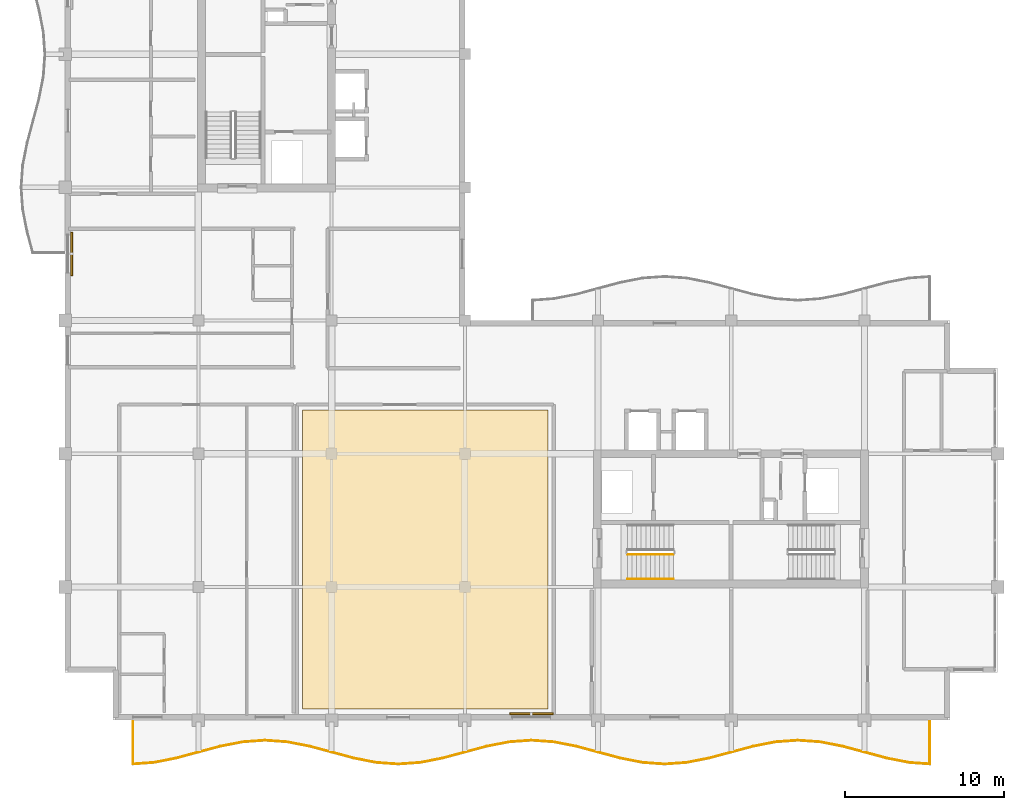
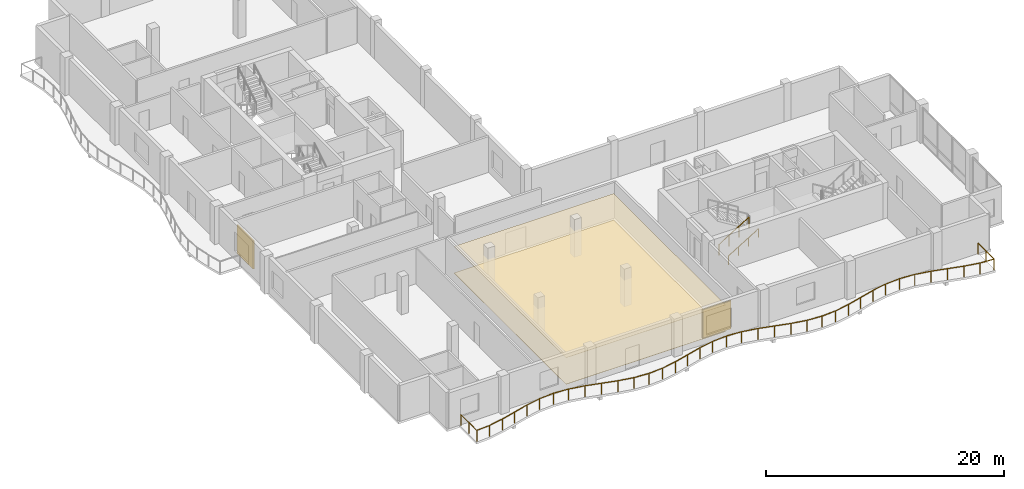
# One storey, part 11 of 14: 3 railings, 2 coverings, 2 shading devices.
"""IFC4 building model written with IfcOpenShell, lengths in metres."""

from ifc_helpers import new_model, si_unit, direction, frame, origin, origin_2d, place, context, subcontext, project, spatial, polyline, rectangle, circle, outline, extrude, material, layer, layer_set, type_object, element, save


model = new_model("IFC4")

# Units and contexts
model_context = context("Model", 3, precision=1e-05, world=origin(), true_north=direction((0.0, 1.0)))
body_context = subcontext(model_context, "Body", "Model", "MODEL_VIEW")
ifc_project = project(units=[si_unit("LENGTHUNIT", "METRE"), si_unit("AREAUNIT", "SQUARE_METRE"), si_unit("VOLUMEUNIT", "CUBIC_METRE"), si_unit("PLANEANGLEUNIT", "RADIAN"), si_unit("MASSUNIT", "GRAM", prefix="KILO")], contexts=[model_context])

# Site, building, storey
site_placement = place(None, origin())
site = spatial("IfcSite", under=ifc_project, at=site_placement, CompositionType="ELEMENT")
building_placement = place(site_placement, origin())
building = spatial("IfcBuilding", under=site, at=building_placement, Name="Koriwani Terraces Tower", CompositionType="ELEMENT")
storey_placement = place(building_placement, frame((0.0, 0.0, 339.800048828125)))
storey = spatial("IfcBuildingStorey", under=building, at=storey_placement, Name="L84", CompositionType="ELEMENT", Elevation=339.800048828125)

# Coverings
ifc_material_1 = material(Name="Fire-Rated Acoustic Gypsum Partition", Category="masonry")
ifc_layer_1 = layer(ifc_material_1, 0.02490234375, Name="Fire-Rated Acoustic Gypsum Partition")
ifc_layer_set_1 = layer_set([ifc_layer_1], Name="Fire-Rated Acoustic Gypsum Partition")
covering_type_1 = type_object("IfcCoveringType", Name="CEILING_ACOUSTIC_GYPSUM", PredefinedType="CEILING", material=ifc_layer_set_1)
covering_1_placement = place(storey_placement, frame((0.0, 0.0, 2.724853515625)))
element("IfcCovering", 1, at=covering_1_placement, inside=storey, type_object=covering_type_1, Name="L84 Suspended Acoustic Gypsum Ceiling", PredefinedType="CEILING", context=body_context, shape_type="SweptSolid", body=[
    extrude(outline(polyline([(23.35009765625, 9.10009765625), (23.35009765625, 27.949951171875), (38.85009765625, 27.949951171875), (38.85009765625, 9.10009765625), (23.35009765625, 9.10009765625)])), origin(), (0.0, 0.0, 1.0), 0.025146484375),
])
ifc_material_2 = material(Name="Polished Andean Slate Flooring", Category="masonry")
ifc_layer_2 = layer(ifc_material_2, 0.030029296875, Name="Polished Andean Slate Flooring")
ifc_layer_set_2 = layer_set([ifc_layer_2], Name="Polished Andean Slate Flooring")
covering_type_2 = type_object("IfcCoveringType", Name="FLOORING_ANDEAN_STONE", PredefinedType="FLOORING", material=ifc_layer_set_2)
covering_2_placement = place(storey_placement, origin())
element("IfcCovering", 2, at=covering_2_placement, inside=storey, type_object=covering_type_2, Name="L84 Polished Andean Slate Floor Finish", PredefinedType="FLOORING", context=body_context, shape_type="SweptSolid", body=[
    extrude(outline(polyline([(23.35009765625, 9.10009765625), (23.35009765625, 27.949951171875), (38.85009765625, 27.949951171875), (38.85009765625, 9.10009765625), (23.35009765625, 9.10009765625)])), origin(), (0.0, 0.0, 1.0), 0.030029296875),
])

# Railings
ifc_material_3 = material(Name="Steel ASTM A572 Grade 50", Category="steel")
railing_type_1 = type_object("IfcRailingType", Name="GUARD_BALUSTRADE_1150", PredefinedType="BALUSTRADE", material=ifc_material_3)
railing_1_placement = place(storey_placement, frame((12.679931640625, 8.320068359375, 0.0)))
element("IfcRailing", 3, at=railing_1_placement, inside=storey, type_object=railing_type_1, Name="L84 Balcony Perimeter Safety Balustrade (S)", PredefinedType="BALUSTRADE", context=body_context, shape_type="SweptSolid", body=[
    extrude(circle(Radius=0.02392578125, at=origin_2d()), frame((0.0, 0.0, 1.1259765625), z_axis=(0.0, -1.0, 0.0), x_axis=(1.0, 0.0, 0.0)), (0.0, 0.0, 1.0), 2.68408203125),
    extrude(circle(Radius=0.02392578125, at=origin_2d()), frame((0.0, -2.68408203125, 1.1259765625), z_axis=(0.997434099073, 0.071590627916, 0.0), x_axis=(-0.071590627916, 0.997434099073, 0.0)), (0.0, 0.0, 1.0), 1.31298828125),
    extrude(circle(Radius=0.02392578125, at=origin_2d()), frame((1.3095703125, -2.590087890625, 1.1259765625), z_axis=(0.981321393675, 0.19237547223, 0.0), x_axis=(-0.19237547223, 0.981321393675, 0.0)), (0.0, 0.0, 1.0), 1.4189453125),
    extrude(circle(Radius=0.02392578125, at=origin_2d()), frame((2.701904296875, -2.317138671875, 1.1259765625), z_axis=(0.96594917914, 0.258731875344, 0.0), x_axis=(-0.258731875344, 0.96594917914, 0.0)), (0.0, 0.0, 1.0), 2.898681640625),
    extrude(circle(Radius=0.02392578125, at=origin_2d()), frame((5.501953125, -1.567138671875, 1.1259765625), z_axis=(0.981358469957, 0.192186246762, 0.0), x_axis=(-0.192186246762, 0.981358469957, 0.0)), (0.0, 0.0, 1.0), 1.434326171875),
    extrude(circle(Radius=0.02392578125, at=origin_2d()), frame((6.909423828125, -1.29150390625, 1.1259765625), z_axis=(0.997430581876, 0.071639614309, 0.0), x_axis=(-0.071639614309, 0.997430581876, 0.0)), (0.0, 0.0, 1.0), 1.414306640625),
    extrude(circle(Radius=0.02392578125, at=origin_2d()), frame((8.320068359375, -1.190185546875, 1.1259765625), z_axis=(0.997430581876, -0.071639614309, 0.0), x_axis=(0.071639614309, 0.997430581876, 0.0)), (0.0, 0.0, 1.0), 1.414306640625),
    extrude(circle(Radius=0.02392578125, at=origin_2d()), frame((9.730712890625, -1.29150390625, 1.1259765625), z_axis=(0.981358469957, -0.192186246762, 0.0), x_axis=(0.192186246762, 0.981358469957, 0.0)), (0.0, 0.0, 1.0), 1.434326171875),
    extrude(circle(Radius=0.02392578125, at=origin_2d()), frame((11.13818359375, -1.567138671875, 1.1259765625), z_axis=(0.96594917914, -0.258731875344, 0.0), x_axis=(0.258731875344, 0.96594917914, 0.0)), (0.0, 0.0, 1.0), 2.898681640625),
    extrude(circle(Radius=0.02392578125, at=origin_2d()), frame((13.938232421875, -2.317138671875, 1.1259765625), z_axis=(0.981321393675, -0.19237547223, 0.0), x_axis=(0.19237547223, 0.981321393675, 0.0)), (0.0, 0.0, 1.0), 1.4189453125),
    extrude(circle(Radius=0.02392578125, at=origin_2d()), frame((15.33056640625, -2.590087890625, 1.1259765625), z_axis=(0.997427466293, -0.07168297904, 0.0), x_axis=(0.07168297904, 0.997427466293, 0.0)), (0.0, 0.0, 1.0), 1.39306640625),
    extrude(circle(Radius=0.02392578125, at=origin_2d()), frame((16.719970703125, -2.68994140625, 1.1259765625), z_axis=(0.997427466293, 0.07168297904, 0.0), x_axis=(-0.07168297904, 0.997427466293, 0.0)), (0.0, 0.0, 1.0), 1.39306640625),
    extrude(circle(Radius=0.02392578125, at=origin_2d()), frame((18.109375, -2.590087890625, 1.1259765625), z_axis=(0.981327760125, 0.192342993657, 0.0), x_axis=(-0.192342993657, 0.981327760125, 0.0)), (0.0, 0.0, 1.0), 1.419189453125),
    extrude(circle(Radius=0.02392578125, at=origin_2d()), frame((19.501953125, -2.317138671875, 1.1259765625), z_axis=(0.96594917914, 0.258731875344, 0.0), x_axis=(-0.258731875344, 0.96594917914, 0.0)), (0.0, 0.0, 1.0), 2.898681640625),
    extrude(circle(Radius=0.02392578125, at=origin_2d()), frame((22.302001953125, -1.567138671875, 1.1259765625), z_axis=(0.981358469957, 0.192186246762, 0.0), x_axis=(-0.192186246762, 0.981358469957, 0.0)), (0.0, 0.0, 1.0), 1.434326171875),
    extrude(circle(Radius=0.02392578125, at=origin_2d()), frame((23.70947265625, -1.29150390625, 1.1259765625), z_axis=(0.997430581876, 0.071639614309, 0.0), x_axis=(-0.071639614309, 0.997430581876, 0.0)), (0.0, 0.0, 1.0), 1.414306640625),
    extrude(circle(Radius=0.02392578125, at=origin_2d()), frame((25.1201171875, -1.190185546875, 1.1259765625), z_axis=(0.997430581876, -0.071639614309, 0.0), x_axis=(0.071639614309, 0.997430581876, 0.0)), (0.0, 0.0, 1.0), 1.414306640625),
    extrude(circle(Radius=0.02392578125, at=origin_2d()), frame((26.53076171875, -1.29150390625, 1.1259765625), z_axis=(0.981352180954, -0.192218357442, 0.0), x_axis=(0.192218357442, 0.981352180954, 0.0)), (0.0, 0.0, 1.0), 1.43408203125),
    extrude(circle(Radius=0.02392578125, at=origin_2d()), frame((27.93798828125, -1.567138671875, 1.1259765625), z_axis=(0.965954816498, -0.258710827923, 0.0), x_axis=(0.258710827923, 0.965954816498, 0.0)), (0.0, 0.0, 1.0), 2.89892578125),
    extrude(circle(Radius=0.02392578125, at=origin_2d()), frame((30.73828125, -2.317138671875, 1.1259765625), z_axis=(0.981321393675, -0.19237547223, 0.0), x_axis=(0.19237547223, 0.981321393675, 0.0)), (0.0, 0.0, 1.0), 1.4189453125),
    extrude(circle(Radius=0.02392578125, at=origin_2d()), frame((32.130615234375, -2.590087890625, 1.1259765625), z_axis=(0.997427466293, -0.07168297904, 0.0), x_axis=(0.07168297904, 0.997427466293, 0.0)), (0.0, 0.0, 1.0), 1.39306640625),
    extrude(circle(Radius=0.02392578125, at=origin_2d()), frame((33.52001953125, -2.68994140625, 1.1259765625), z_axis=(0.997427466293, 0.07168297904, 0.0), x_axis=(-0.07168297904, 0.997427466293, 0.0)), (0.0, 0.0, 1.0), 1.39306640625),
    extrude(circle(Radius=0.02392578125, at=origin_2d()), frame((34.909423828125, -2.590087890625, 1.1259765625), z_axis=(0.981327760125, 0.192342993657, 0.0), x_axis=(-0.192342993657, 0.981327760125, 0.0)), (0.0, 0.0, 1.0), 1.419189453125),
    extrude(circle(Radius=0.02392578125, at=origin_2d()), frame((36.302001953125, -2.317138671875, 1.1259765625), z_axis=(0.96594917914, 0.258731875344, 0.0), x_axis=(-0.258731875344, 0.96594917914, 0.0)), (0.0, 0.0, 1.0), 2.898681640625),
    extrude(circle(Radius=0.02392578125, at=origin_2d()), frame((39.10205078125, -1.567138671875, 1.1259765625), z_axis=(0.981358469957, 0.192186246762, 0.0), x_axis=(-0.192186246762, 0.981358469957, 0.0)), (0.0, 0.0, 1.0), 1.434326171875),
    extrude(circle(Radius=0.02392578125, at=origin_2d()), frame((40.509521484375, -1.29150390625, 1.1259765625), z_axis=(0.997430581876, 0.071639614309, 0.0), x_axis=(-0.071639614309, 0.997430581876, 0.0)), (0.0, 0.0, 1.0), 1.414306640625),
    extrude(circle(Radius=0.02392578125, at=origin_2d()), frame((41.920166015625, -1.190185546875, 1.1259765625), z_axis=(0.997429695692, -0.071651951482, 0.0), x_axis=(0.071651951482, 0.997429695692, 0.0)), (0.0, 0.0, 1.0), 1.4140625),
    extrude(circle(Radius=0.02392578125, at=origin_2d()), frame((43.33056640625, -1.29150390625, 1.1259765625), z_axis=(0.981358469957, -0.192186246762, 0.0), x_axis=(0.192186246762, 0.981358469957, 0.0)), (0.0, 0.0, 1.0), 1.434326171875),
    extrude(circle(Radius=0.02392578125, at=origin_2d()), frame((44.738037109375, -1.567138671875, 1.1259765625), z_axis=(0.96594917914, -0.258731875344, 0.0), x_axis=(0.258731875344, 0.96594917914, 0.0)), (0.0, 0.0, 1.0), 2.898681640625),
    extrude(circle(Radius=0.02392578125, at=origin_2d()), frame((47.5380859375, -2.317138671875, 1.1259765625), z_axis=(0.981327760125, -0.192342993657, 0.0), x_axis=(0.192342993657, 0.981327760125, 0.0)), (0.0, 0.0, 1.0), 1.419189453125),
    extrude(circle(Radius=0.02392578125, at=origin_2d()), frame((48.9306640625, -2.590087890625, 1.1259765625), z_axis=(0.997433145776, -0.07160390847, 0.0), x_axis=(0.07160390847, 0.997433145776, 0.0)), (0.0, 0.0, 1.0), 1.312744140625),
    extrude(circle(Radius=0.02392578125, at=origin_2d()), frame((50.239990234375, -2.68408203125, 1.1259765625), z_axis=(0.0, 1.0, 0.0), x_axis=(-1.0, 0.0, 0.0)), (0.0, 0.0, 1.0), 2.68408203125),
    extrude(circle(Radius=0.02099609375, at=origin_2d()), origin(), (0.0, 0.0, 1.0), 1.101806640625),
    extrude(circle(Radius=0.02099609375, at=origin_2d()), frame((0.0, -1.342041015625, 0.0)), (0.0, 0.0, 1.0), 1.101806640625),
    extrude(circle(Radius=0.02099609375, at=origin_2d()), frame((0.0, -2.68408203125, 0.0)), (0.0, 0.0, 1.0), 1.101806640625),
    extrude(circle(Radius=0.02099609375, at=origin_2d()), frame((1.3095703125, -2.590087890625, 0.0)), (0.0, 0.0, 1.0), 1.101806640625),
    extrude(circle(Radius=0.02099609375, at=origin_2d()), frame((2.701904296875, -2.317138671875, 0.0)), (0.0, 0.0, 1.0), 1.101806640625),
    extrude(circle(Radius=0.02099609375, at=origin_2d()), frame((4.10205078125, -1.942138671875, 0.0)), (0.0, 0.0, 1.0), 1.101806640625),
    extrude(circle(Radius=0.02099609375, at=origin_2d()), frame((5.501953125, -1.567138671875, 0.0)), (0.0, 0.0, 1.0), 1.101806640625),
    extrude(circle(Radius=0.02099609375, at=origin_2d()), frame((6.909423828125, -1.29150390625, 0.0)), (0.0, 0.0, 1.0), 1.101806640625),
    extrude(circle(Radius=0.02099609375, at=origin_2d()), frame((8.320068359375, -1.190185546875, 0.0)), (0.0, 0.0, 1.0), 1.101806640625),
    extrude(circle(Radius=0.02099609375, at=origin_2d()), frame((9.730712890625, -1.29150390625, 0.0)), (0.0, 0.0, 1.0), 1.101806640625),
    extrude(circle(Radius=0.02099609375, at=origin_2d()), frame((11.13818359375, -1.567138671875, 0.0)), (0.0, 0.0, 1.0), 1.101806640625),
    extrude(circle(Radius=0.02099609375, at=origin_2d()), frame((12.5380859375, -1.942138671875, 0.0)), (0.0, 0.0, 1.0), 1.101806640625),
    extrude(circle(Radius=0.02099609375, at=origin_2d()), frame((13.938232421875, -2.317138671875, 0.0)), (0.0, 0.0, 1.0), 1.101806640625),
    extrude(circle(Radius=0.02099609375, at=origin_2d()), frame((15.33056640625, -2.590087890625, 0.0)), (0.0, 0.0, 1.0), 1.101806640625),
    extrude(circle(Radius=0.02099609375, at=origin_2d()), frame((16.719970703125, -2.68994140625, 0.0)), (0.0, 0.0, 1.0), 1.101806640625),
    extrude(circle(Radius=0.02099609375, at=origin_2d()), frame((18.109375, -2.590087890625, 0.0)), (0.0, 0.0, 1.0), 1.101806640625),
    extrude(circle(Radius=0.02099609375, at=origin_2d()), frame((19.501953125, -2.317138671875, 0.0)), (0.0, 0.0, 1.0), 1.101806640625),
    extrude(circle(Radius=0.02099609375, at=origin_2d()), frame((20.90185546875, -1.942138671875, 0.0)), (0.0, 0.0, 1.0), 1.101806640625),
    extrude(circle(Radius=0.02099609375, at=origin_2d()), frame((22.302001953125, -1.567138671875, 0.0)), (0.0, 0.0, 1.0), 1.101806640625),
    extrude(circle(Radius=0.02099609375, at=origin_2d()), frame((23.70947265625, -1.29150390625, 0.0)), (0.0, 0.0, 1.0), 1.101806640625),
    extrude(circle(Radius=0.02099609375, at=origin_2d()), frame((25.1201171875, -1.190185546875, 0.0)), (0.0, 0.0, 1.0), 1.101806640625),
    extrude(circle(Radius=0.02099609375, at=origin_2d()), frame((26.53076171875, -1.29150390625, 0.0)), (0.0, 0.0, 1.0), 1.101806640625),
    extrude(circle(Radius=0.02099609375, at=origin_2d()), frame((27.93798828125, -1.567138671875, 0.0)), (0.0, 0.0, 1.0), 1.101806640625),
    extrude(circle(Radius=0.02099609375, at=origin_2d()), frame((29.338134765625, -1.942138671875, 0.0)), (0.0, 0.0, 1.0), 1.101806640625),
    extrude(circle(Radius=0.02099609375, at=origin_2d()), frame((30.73828125, -2.317138671875, 0.0)), (0.0, 0.0, 1.0), 1.101806640625),
    extrude(circle(Radius=0.02099609375, at=origin_2d()), frame((32.130615234375, -2.590087890625, 0.0)), (0.0, 0.0, 1.0), 1.101806640625),
    extrude(circle(Radius=0.02099609375, at=origin_2d()), frame((33.52001953125, -2.68994140625, 0.0)), (0.0, 0.0, 1.0), 1.101806640625),
    extrude(circle(Radius=0.02099609375, at=origin_2d()), frame((34.909423828125, -2.590087890625, 0.0)), (0.0, 0.0, 1.0), 1.101806640625),
    extrude(circle(Radius=0.02099609375, at=origin_2d()), frame((36.302001953125, -2.317138671875, 0.0)), (0.0, 0.0, 1.0), 1.101806640625),
    extrude(circle(Radius=0.02099609375, at=origin_2d()), frame((37.7021484375, -1.942138671875, 0.0)), (0.0, 0.0, 1.0), 1.101806640625),
    extrude(circle(Radius=0.02099609375, at=origin_2d()), frame((39.10205078125, -1.567138671875, 0.0)), (0.0, 0.0, 1.0), 1.101806640625),
    extrude(circle(Radius=0.02099609375, at=origin_2d()), frame((40.509521484375, -1.29150390625, 0.0)), (0.0, 0.0, 1.0), 1.101806640625),
    extrude(circle(Radius=0.02099609375, at=origin_2d()), frame((41.920166015625, -1.190185546875, 0.0)), (0.0, 0.0, 1.0), 1.101806640625),
    extrude(circle(Radius=0.02099609375, at=origin_2d()), frame((43.33056640625, -1.29150390625, 0.0)), (0.0, 0.0, 1.0), 1.101806640625),
    extrude(circle(Radius=0.02099609375, at=origin_2d()), frame((44.738037109375, -1.567138671875, 0.0)), (0.0, 0.0, 1.0), 1.101806640625),
    extrude(circle(Radius=0.02099609375, at=origin_2d()), frame((46.13818359375, -1.942138671875, 0.0)), (0.0, 0.0, 1.0), 1.101806640625),
    extrude(circle(Radius=0.02099609375, at=origin_2d()), frame((47.5380859375, -2.317138671875, 0.0)), (0.0, 0.0, 1.0), 1.101806640625),
    extrude(circle(Radius=0.02099609375, at=origin_2d()), frame((48.9306640625, -2.590087890625, 0.0)), (0.0, 0.0, 1.0), 1.101806640625),
    extrude(circle(Radius=0.02099609375, at=origin_2d()), frame((50.239990234375, -2.68408203125, 0.0)), (0.0, 0.0, 1.0), 1.101806640625),
    extrude(circle(Radius=0.02099609375, at=origin_2d()), frame((50.239990234375, -1.342041015625, 0.0)), (0.0, 0.0, 1.0), 1.101806640625),
    extrude(circle(Radius=0.02099609375, at=origin_2d()), frame((50.239990234375, 0.0, 0.0)), (0.0, 0.0, 1.0), 1.101806640625),
])
railing_type_2 = type_object("IfcRailingType", Name="GUARD_STAIR_WELL_1120", PredefinedType="GUARDRAIL", material=ifc_material_3)
railing_2_placement = place(storey_placement, frame((43.85009765625, 18.85009765625, 0.17724609375)))
element("IfcRailing", 4, at=railing_2_placement, inside=storey, type_object=railing_type_2, Name="L84 ST-E1 stair guard 1", PredefinedType="GUARDRAIL", context=body_context, shape_type="SweptSolid", body=[
    extrude(circle(Radius=0.02392578125, at=origin_2d()), frame((0.0, 0.0, 1.1259765625), z_axis=(0.853210801645, 0.0, 0.521566225858), x_axis=(0.0, 1.0, 0.0)), (0.0, 0.0, 1.0), 3.39892578125),
    extrude(circle(Radius=0.02099609375, at=origin_2d()), origin(), (0.0, 0.0, 1.0), 1.101806640625),
    extrude(circle(Radius=0.02099609375, at=origin_2d()), frame((0.966552734375, 0.0, 0.5908203125)), (0.0, 0.0, 1.0), 1.101806640625),
    extrude(circle(Radius=0.02099609375, at=origin_2d()), frame((1.933349609375, 0.0, 1.181884765625)), (0.0, 0.0, 1.0), 1.101806640625),
    extrude(circle(Radius=0.02099609375, at=origin_2d()), frame((2.89990234375, 0.0, 1.772705078125)), (0.0, 0.0, 1.0), 1.101806640625),
])
railing_type_3 = type_object("IfcRailingType", Name="HANDRAIL_STAIR_920", PredefinedType="HANDRAIL", material=ifc_material_3)
railing_3_placement = place(storey_placement, frame((43.85009765625, 17.300048828125, 0.17724609375)))
element("IfcRailing", 5, at=railing_3_placement, inside=storey, type_object=railing_type_3, Name="L84 ST-E1 stair handrail 1", PredefinedType="HANDRAIL", context=body_context, shape_type="SweptSolid", body=[
    extrude(circle(Radius=0.02392578125, at=origin_2d()), frame((0.0, 0.0, 0.8759765625), z_axis=(0.853210801645, 0.0, 0.521566225858), x_axis=(0.0, 1.0, 0.0)), (0.0, 0.0, 1.0), 3.39892578125),
    extrude(circle(Radius=0.02099609375, at=origin_2d()), origin(), (0.0, 0.0, 1.0), 0.851806640625),
    extrude(circle(Radius=0.02099609375, at=origin_2d()), frame((0.966552734375, 0.0, 0.5908203125)), (0.0, 0.0, 1.0), 0.851806640625),
    extrude(circle(Radius=0.02099609375, at=origin_2d()), frame((1.933349609375, 0.0, 1.181884765625)), (0.0, 0.0, 1.0), 0.851806640625),
    extrude(circle(Radius=0.02099609375, at=origin_2d()), frame((2.89990234375, 0.0, 1.772705078125)), (0.0, 0.0, 1.0), 0.851806640625),
])

# Shading devices
ifc_material_4 = material(Name="Extruded Terracotta Clay", Category="masonry")
ifc_layer_3 = layer(ifc_material_4, 0.1201171875, Name="Extruded Terracotta Clay")
ifc_layer_set_3 = layer_set([ifc_layer_3], Name="Extruded Terracotta Clay")
shading_device_type = type_object("IfcShadingDeviceType", Name="TERRACOTTA_BAGUETTE_SCREEN_2800", PredefinedType="USERDEFINED", material=ifc_layer_set_3)
for number, where, z_axis, x_axis, name in (
    (6, (8.804931640625, 37.800048828125, 0.385009765625), (0.0, 0.0, 1.0), (0.0, 1.0, 0.0), "L84 Extruded Terracotta Baguette Screen (W-9)"),
    (7, (37.800048828125, 8.804931640625, 0.385009765625), (0.0, 0.0, 1.0), (-1.0, 0.0, 0.0), "L84 Extruded Terracotta Baguette Screen (S-9)"),
):
    element("IfcShadingDevice", number, at=place(storey_placement, frame(where, z_axis=z_axis, x_axis=x_axis)), inside=storey, type_object=shading_device_type, Name=name, ObjectType="BAGUETTE", PredefinedType="USERDEFINED", context=body_context, shape_type="SweptSolid", body=[
        extrude(rectangle(XDim=2.760009765625, YDim=0.1201171875, at=origin_2d()), origin(), (0.0, 0.0, 1.0), 2.89990234375),
    ])

save(model, "model.ifc")
